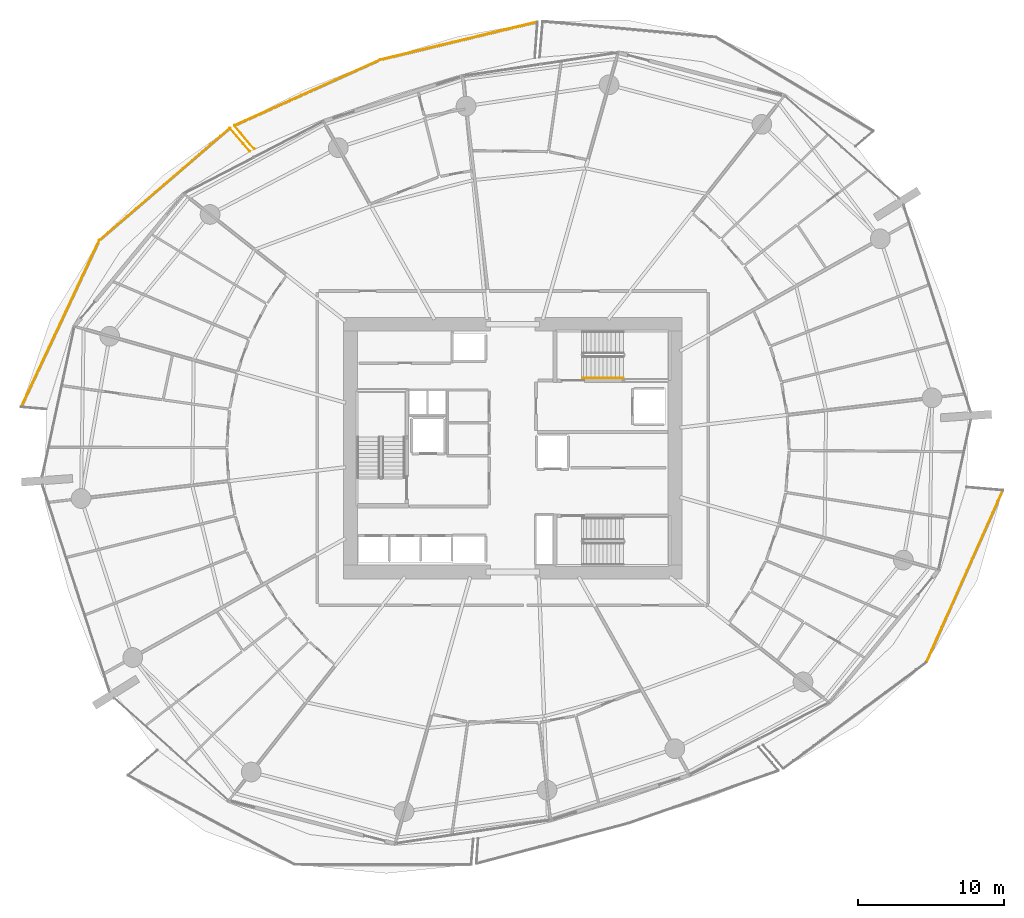
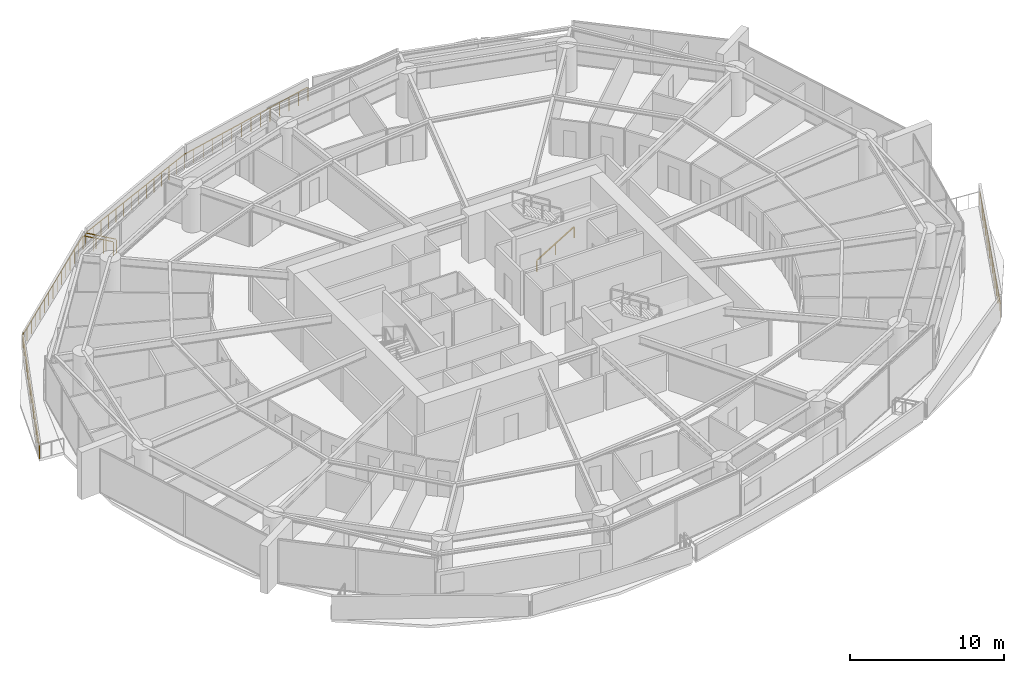
# One storey, part 29 of 31: 8 railings.
"""IFC4 building model written with IfcOpenShell, lengths in metres."""

import ifcopenshell
import ifcopenshell.guid

model = None  # the IFC model being written
_history = None  # IfcOwnerHistory: only IFC2X3 demands one
_inside = {}  # id of a spatial element -> (the spatial element, [elements in it])
_under = {}  # id of a project, library or spatial element -> (it, [spatial elements below it])
_declared = {}  # id of a project -> (the project, [libraries it declares])
_typed = {}  # id of a type object -> (the type object, [elements of that type])
_made_of = {}  # id of a material, layer set ... -> (it, [elements and type objects made of it])


def new_model(schema):
    """Start an empty IFC model of exactly this schema.

    Asked for "IFC4X3", IfcOpenShell would pick the latest addendum, in which some entities
    have other attributes; the version numbers below select the first issue.
    IFC2X3 requires an IfcOwnerHistory on every rooted entity: one is made here for all.
    """
    global model, _history
    if schema == "IFC4X3":
        model = ifcopenshell.file(schema_version=(4, 3, 0, 0))
    else:
        model = ifcopenshell.file(schema=schema)
    _inside.clear()
    _under.clear()
    _declared.clear()
    _typed.clear()
    _made_of.clear()
    _history = None
    if model.schema == "IFC2X3":
        org = make("IfcOrganization", Name="unknown")
        user = make(
            "IfcPersonAndOrganization",
            ThePerson=make("IfcPerson", FamilyName="unknown"),
            TheOrganization=org,
        )
        app = make(
            "IfcApplication",
            ApplicationDeveloper=org,
            Version="unknown",
            ApplicationFullName="unknown",
            ApplicationIdentifier="unknown",
        )
        _history = make(
            "IfcOwnerHistory",
            OwningUser=user,
            OwningApplication=app,
            ChangeAction="ADDED",
            CreationDate=0,
        )
    return model


def make(cls, **values):
    """One entity of the class cls with the attributes given. An attribute that is None is left unset."""
    return model.create_entity(
        cls, **{name: value for name, value in values.items() if value is not None}
    )


def rooted(cls, **values):
    """An entity with a GlobalId (a new one), such as an element, a storey or a relation."""
    return make(cls, GlobalId=ifcopenshell.guid.new(), OwnerHistory=_history, **values)


def si_unit(unit_type, name, prefix=None):
    """IfcSIUnit, for example si_unit("LENGTHUNIT", "METRE", prefix="MILLI")."""
    return make("IfcSIUnit", UnitType=unit_type, Prefix=prefix, Name=name)


def assignment(units):
    """IfcUnitAssignment: the units of a project."""
    return None if units is None else make("IfcUnitAssignment", Units=units)


def point(xyz):
    """IfcCartesianPoint."""
    return None if xyz is None else make("IfcCartesianPoint", Coordinates=xyz)


def direction(xyz):
    """IfcDirection."""
    return None if xyz is None else make("IfcDirection", DirectionRatios=xyz)


def frame(location, z_axis=None, x_axis=None):
    """IfcAxis2Placement3D, a coordinate frame: its origin and axes. An axis left out is left unset."""
    return make(
        "IfcAxis2Placement3D",
        Location=point(location),
        Axis=direction(z_axis),
        RefDirection=direction(x_axis),
    )


def frame_2d(location, x_axis=None):
    """IfcAxis2Placement2D, a coordinate frame in the plane: its origin and x axis."""
    return make(
        "IfcAxis2Placement2D", Location=point(location), RefDirection=direction(x_axis)
    )


def origin():
    """The frame at (0, 0, 0) with its axes left unset."""
    return frame((0.0, 0.0, 0.0))


def origin_2d():
    """The frame at (0, 0) in the plane with its x axis left unset."""
    return frame_2d((0.0, 0.0))


def place(relative_to, where):
    """IfcLocalPlacement: puts the frame where relative to a parent placement (None: the world)."""
    return make(
        "IfcLocalPlacement", PlacementRelTo=relative_to, RelativePlacement=where
    )


def context(
    kind, dimensions, precision=None, world=None, true_north=None, identifier=None
):
    """IfcGeometricRepresentationContext, for example the 3D "Model" context."""
    return make(
        "IfcGeometricRepresentationContext",
        ContextIdentifier=identifier,
        ContextType=kind,
        CoordinateSpaceDimension=dimensions,
        Precision=precision,
        WorldCoordinateSystem=world,
        TrueNorth=true_north,
    )


def subcontext(parent, identifier, kind, view, scale=None):
    """IfcGeometricRepresentationSubContext, for example "Body" below "Model"."""
    return make(
        "IfcGeometricRepresentationSubContext",
        ContextIdentifier=identifier,
        ContextType=kind,
        ParentContext=parent,
        TargetScale=scale,
        TargetView=view,
    )


def project(units=None, contexts=None):
    """IfcProject with its units and contexts."""
    return rooted(
        "IfcProject",
        Name="project",
        RepresentationContexts=contexts,
        UnitsInContext=assignment(units),
    )


def spatial(cls, under=None, at=None, **own):
    """A site, building, storey or space (cls), placed at a placement, below another one or the project."""
    s = rooted(cls, ObjectPlacement=at, **own)
    if under is not None:
        _under.setdefault(under.id(), (under, []))[1].append(s)
    return s


def profile(cls, at=None, kind="AREA", **sizes):
    """A parametric profile (cls). Its sizes go by their IFC names, for example OverallWidth=200.0."""
    return make(cls, ProfileType=kind, Position=at, **sizes)


def rectangle(**sizes):
    """IfcRectangleProfileDef."""
    return profile("IfcRectangleProfileDef", **sizes)


def extrude(swept, where, along, depth):
    """IfcExtrudedAreaSolid: the profile swept, set in the frame where, extruded along a direction by depth."""
    return make(
        "IfcExtrudedAreaSolid",
        SweptArea=swept,
        Position=where,
        ExtrudedDirection=direction(along),
        Depth=depth,
    )


def shape(context_of_items, identifier, shape_type, items):
    """IfcShapeRepresentation: the items that make up one representation, for example the "Body"."""
    return make(
        "IfcShapeRepresentation",
        ContextOfItems=context_of_items,
        RepresentationIdentifier=identifier,
        RepresentationType=shape_type,
        Items=items,
    )


def material(Name=None, Category=None):
    """IfcMaterial."""
    return make("IfcMaterial", Name=Name, Category=Category)


def made_of(thing, what):
    """Note that an element or type object is made of a material, layer set ...; save() writes the relation."""
    if what is not None:
        _made_of.setdefault(what.id(), (what, []))[1].append(thing)
    return thing


def type_object(cls, material=None, **own):
    """A type object (cls), such as IfcWallType, which elements share."""
    return made_of(rooted(cls, **own), material)


def element(
    cls,
    number,
    at=None,
    inside=None,
    cuts=None,
    type_object=None,
    material=None,
    context=None,
    identifier="Body",
    shape_type=None,
    held_by="IfcProductDefinitionShape",
    body=None,
    shapes=None,
    **own,
):
    """One element of the class cls, such as IfcWall. Its Tag is "e" and its number.

    at: its placement. inside: the storey or other place that contains it. cuts: it is an
    opening in that element (IfcRelVoidsElement). A single representation is given by context,
    identifier, shape_type and body (its items); several are given by shapes. held_by: the class
    of the entity that holds the representations. save() writes the other relations.
    """
    e = rooted(cls, Tag="e%d" % number, ObjectPlacement=at, **own)
    if body is not None:
        shapes = [shape(context, identifier, shape_type, body)]
    if shapes is not None:
        e.Representation = make(held_by, Representations=shapes)
    if inside is not None:
        _inside.setdefault(inside.id(), (inside, []))[1].append(e)
    if cuts is not None:
        rooted(
            "IfcRelVoidsElement", RelatingBuildingElement=cuts, RelatedOpeningElement=e
        )
    if type_object is not None:
        _typed.setdefault(type_object.id(), (type_object, []))[1].append(e)
    return made_of(e, material)


def aggregate(whole, parts):
    """IfcRelAggregates: a whole, such as a stair, and the parts it consists of."""
    return rooted("IfcRelAggregates", RelatingObject=whole, RelatedObjects=parts)


def save(model, path):
    """Write the relations noted so far, then the file.

    IfcRelAggregates (storeys below a building ...), IfcRelContainedInSpatialStructure (elements
    in a storey), IfcRelDefinesByType, IfcRelAssociatesMaterial and IfcRelDeclares: one each for
    every whole, place, type object, material and project.
    """
    for whole, parts in _under.values():
        aggregate(whole, parts)
    for where, things in _inside.values():
        rooted(
            "IfcRelContainedInSpatialStructure",
            RelatedElements=things,
            RelatingStructure=where,
        )
    for kind, things in _typed.values():
        rooted("IfcRelDefinesByType", RelatedObjects=things, RelatingType=kind)
    for what, things in _made_of.values():
        rooted("IfcRelAssociatesMaterial", RelatedObjects=things, RelatingMaterial=what)
    for by, libraries in _declared.values():
        rooted("IfcRelDeclares", RelatingContext=by, RelatedDefinitions=libraries)
    model.write(path)


model = new_model("IFC4")

# Units and contexts
model_context = context("Model", 3, precision=1e-05, world=origin(), true_north=direction((0.0, 1.0)))
body_context = subcontext(model_context, "Body", "Model", "MODEL_VIEW")
ifc_project = project(units=[si_unit("LENGTHUNIT", "METRE"), si_unit("AREAUNIT", "SQUARE_METRE"), si_unit("VOLUMEUNIT", "CUBIC_METRE"), si_unit("PLANEANGLEUNIT", "RADIAN"), si_unit("MASSUNIT", "GRAM", prefix="KILO")], contexts=[model_context])

# Site, building, storey
site_placement = place(None, origin())
site = spatial("IfcSite", under=ifc_project, at=site_placement, CompositionType="ELEMENT")
building_placement = place(site_placement, origin())
building = spatial("IfcBuilding", under=site, at=building_placement, Name="Kazma Halo Residences", CompositionType="ELEMENT")
storey_placement = place(building_placement, frame((0.0, 0.0, 60.14990234375)))
storey = spatial("IfcBuildingStorey", under=building, at=storey_placement, Name="L14", CompositionType="ELEMENT", Elevation=60.14990234375)

# Railings
ifc_material_1 = material(Name="Aluminium AW-6063 T6 Brushed Cap Rail", Category="aluminium")
railing_type_1 = type_object("IfcRailingType", Name="RLG-BAL-CAP-1120", PredefinedType="BALUSTRADE", material=ifc_material_1)
railing_1_placement = place(storey_placement, frame((50.115234375, 71.1533203125, 0.0)))
element("IfcRailing", 1, at=railing_1_placement, inside=storey, type_object=railing_type_1, Name="L14 NNW wave balcony guard 2", PredefinedType="BALUSTRADE", context=body_context, shape_type="SweptSolid", body=[
    extrude(rectangle(XDim=0.050048828125, YDim=0.050048828125, at=origin_2d()), frame((-0.041259765625, -0.010009765625, 1.09521484375), z_axis=(-0.972166742851, -0.234290042669, 0.0), x_axis=(0.234290042669, -0.972166742851, 0.0)), (0.0, 0.0, 1.0), 10.968994140625),
    extrude(rectangle(XDim=0.0400390625, YDim=0.0400390625, at=origin_2d()), origin(), (0.0, 0.0, 1.0), 1.05810546875),
    extrude(rectangle(XDim=0.0400390625, YDim=0.0400390625, at=origin_2d()), frame((-0.82666015625, -0.19921875, 0.0)), (0.0, 0.0, 1.0), 1.05810546875),
    extrude(rectangle(XDim=0.0400390625, YDim=0.0400390625, at=origin_2d()), frame((-1.6533203125, -0.3984375, 0.0)), (0.0, 0.0, 1.0), 1.05810546875),
    extrude(rectangle(XDim=0.0400390625, YDim=0.0400390625, at=origin_2d()), frame((-2.47998046875, -0.59765625, 0.0)), (0.0, 0.0, 1.0), 1.05810546875),
    extrude(rectangle(XDim=0.0400390625, YDim=0.0400390625, at=origin_2d()), frame((-3.306640625, -0.796875, 0.0)), (0.0, 0.0, 1.0), 1.05810546875),
    extrude(rectangle(XDim=0.0400390625, YDim=0.0400390625, at=origin_2d()), frame((-4.13330078125, -0.99609375, 0.0)), (0.0, 0.0, 1.0), 1.05810546875),
    extrude(rectangle(XDim=0.0400390625, YDim=0.0400390625, at=origin_2d()), frame((-4.9599609375, -1.1953125, 0.0)), (0.0, 0.0, 1.0), 1.05810546875),
    extrude(rectangle(XDim=0.0400390625, YDim=0.0400390625, at=origin_2d()), frame((-5.786376953125, -1.39453125, 0.0)), (0.0, 0.0, 1.0), 1.05810546875),
    extrude(rectangle(XDim=0.0400390625, YDim=0.0400390625, at=origin_2d()), frame((-6.613037109375, -1.59375, 0.0)), (0.0, 0.0, 1.0), 1.05810546875),
    extrude(rectangle(XDim=0.0400390625, YDim=0.0400390625, at=origin_2d()), frame((-7.439697265625, -1.79296875, 0.0)), (0.0, 0.0, 1.0), 1.05810546875),
    extrude(rectangle(XDim=0.0400390625, YDim=0.0400390625, at=origin_2d()), frame((-8.266357421875, -1.9921875, 0.0)), (0.0, 0.0, 1.0), 1.05810546875),
    extrude(rectangle(XDim=0.0400390625, YDim=0.0400390625, at=origin_2d()), frame((-9.093017578125, -2.19140625, 0.0)), (0.0, 0.0, 1.0), 1.05810546875),
    extrude(rectangle(XDim=0.0400390625, YDim=0.0400390625, at=origin_2d()), frame((-9.919677734375, -2.390625, 0.0)), (0.0, 0.0, 1.0), 1.05810546875),
    extrude(rectangle(XDim=0.0400390625, YDim=0.0400390625, at=origin_2d()), frame((-10.746337890625, -2.58984375, 0.0)), (0.0, 0.0, 1.0), 1.05810546875),
])
railing_2_placement = place(storey_placement, frame((39.368896484375, 68.5634765625, 0.0)))
element("IfcRailing", 2, at=railing_2_placement, inside=storey, type_object=railing_type_1, Name="L14 NNW wave balcony guard 3", PredefinedType="BALUSTRADE", context=body_context, shape_type="SweptSolid", body=[
    extrude(rectangle(XDim=0.050048828125, YDim=0.050048828125, at=origin_2d()), frame((-0.038818359375, -0.017578125, 1.09521484375), z_axis=(-0.911628372298, -0.411015462996, 0.0), x_axis=(0.411015462996, -0.911628372298, 0.0)), (0.0, 0.0, 1.0), 10.863525390625),
    extrude(rectangle(XDim=0.0400390625, YDim=0.0400390625, at=origin_2d()), origin(), (0.0, 0.0, 1.0), 1.05810546875),
    extrude(rectangle(XDim=0.0400390625, YDim=0.0400390625, at=origin_2d()), frame((-0.767822265625, -0.34619140625, 0.0)), (0.0, 0.0, 1.0), 1.05810546875),
    extrude(rectangle(XDim=0.0400390625, YDim=0.0400390625, at=origin_2d()), frame((-1.53564453125, -0.6923828125, 0.0)), (0.0, 0.0, 1.0), 1.05810546875),
    extrude(rectangle(XDim=0.0400390625, YDim=0.0400390625, at=origin_2d()), frame((-2.30322265625, -1.03857421875, 0.0)), (0.0, 0.0, 1.0), 1.05810546875),
    extrude(rectangle(XDim=0.0400390625, YDim=0.0400390625, at=origin_2d()), frame((-3.071044921875, -1.384521484375, 0.0)), (0.0, 0.0, 1.0), 1.05810546875),
    extrude(rectangle(XDim=0.0400390625, YDim=0.0400390625, at=origin_2d()), frame((-3.8388671875, -1.730712890625, 0.0)), (0.0, 0.0, 1.0), 1.05810546875),
    extrude(rectangle(XDim=0.0400390625, YDim=0.0400390625, at=origin_2d()), frame((-4.606689453125, -2.076904296875, 0.0)), (0.0, 0.0, 1.0), 1.05810546875),
    extrude(rectangle(XDim=0.0400390625, YDim=0.0400390625, at=origin_2d()), frame((-5.374267578125, -2.423095703125, 0.0)), (0.0, 0.0, 1.0), 1.05810546875),
    extrude(rectangle(XDim=0.0400390625, YDim=0.0400390625, at=origin_2d()), frame((-6.14208984375, -2.769287109375, 0.0)), (0.0, 0.0, 1.0), 1.05810546875),
    extrude(rectangle(XDim=0.0400390625, YDim=0.0400390625, at=origin_2d()), frame((-6.909912109375, -3.115478515625, 0.0)), (0.0, 0.0, 1.0), 1.05810546875),
    extrude(rectangle(XDim=0.0400390625, YDim=0.0400390625, at=origin_2d()), frame((-7.677734375, -3.46142578125, 0.0)), (0.0, 0.0, 1.0), 1.05810546875),
    extrude(rectangle(XDim=0.0400390625, YDim=0.0400390625, at=origin_2d()), frame((-8.4453125, -3.8076171875, 0.0)), (0.0, 0.0, 1.0), 1.05810546875),
    extrude(rectangle(XDim=0.0400390625, YDim=0.0400390625, at=origin_2d()), frame((-9.213134765625, -4.15380859375, 0.0)), (0.0, 0.0, 1.0), 1.05810546875),
    extrude(rectangle(XDim=0.0400390625, YDim=0.0400390625, at=origin_2d()), frame((-9.98095703125, -4.5, 0.0)), (0.0, 0.0, 1.0), 1.05810546875),
])
railing_3_placement = place(storey_placement, frame((29.387939453125, 64.0634765625, 0.0)))
element("IfcRailing", 3, at=railing_3_placement, inside=storey, type_object=railing_type_1, Name="L14 NNW wave balcony guard 4", PredefinedType="BALUSTRADE", context=body_context, shape_type="SweptSolid", body=[
    extrude(rectangle(XDim=0.050048828125, YDim=0.050048828125, at=origin_2d()), frame((0.02734375, -0.032470703125, 1.09521484375), z_axis=(0.644782437668, -0.764366147912, 0.0), x_axis=(0.764366147912, 0.644782437668, 0.0)), (0.0, 0.0, 1.0), 2.030029296875),
    extrude(rectangle(XDim=0.0400390625, YDim=0.0400390625, at=origin_2d()), origin(), (0.0, 0.0, 1.0), 1.05810546875),
    extrude(rectangle(XDim=0.0400390625, YDim=0.0400390625, at=origin_2d()), frame((0.45458984375, -0.538818359375, 0.0)), (0.0, 0.0, 1.0), 1.05810546875),
    extrude(rectangle(XDim=0.0400390625, YDim=0.0400390625, at=origin_2d()), frame((0.9091796875, -1.077880859375, 0.0)), (0.0, 0.0, 1.0), 1.05810546875),
    extrude(rectangle(XDim=0.0400390625, YDim=0.0400390625, at=origin_2d()), frame((1.36376953125, -1.61669921875, 0.0)), (0.0, 0.0, 1.0), 1.05810546875),
])
railing_4_placement = place(storey_placement, frame((30.453857421875, 62.29150390625, 0.0)))
element("IfcRailing", 4, at=railing_4_placement, inside=storey, type_object=railing_type_1, Name="L14 NW wave balcony guard 1", PredefinedType="BALUSTRADE", context=body_context, shape_type="SweptSolid", body=[
    extrude(rectangle(XDim=0.050048828125, YDim=0.050048828125, at=origin_2d()), frame((-0.02783203125, 0.0322265625, 1.09521484375), z_axis=(-0.654010002836, 0.756485899532, 0.0), x_axis=(-0.756485899532, -0.654010002836, 0.0)), (0.0, 0.0, 1.0), 2.01611328125),
    extrude(rectangle(XDim=0.0400390625, YDim=0.0400390625, at=origin_2d()), origin(), (0.0, 0.0, 1.0), 1.05810546875),
    extrude(rectangle(XDim=0.0400390625, YDim=0.0400390625, at=origin_2d()), frame((-0.4580078125, 0.52978515625, 0.0)), (0.0, 0.0, 1.0), 1.05810546875),
    extrude(rectangle(XDim=0.0400390625, YDim=0.0400390625, at=origin_2d()), frame((-0.916259765625, 1.059814453125, 0.0)), (0.0, 0.0, 1.0), 1.05810546875),
    extrude(rectangle(XDim=0.0400390625, YDim=0.0400390625, at=origin_2d()), frame((-1.374267578125, 1.589599609375, 0.0)), (0.0, 0.0, 1.0), 1.05810546875),
])
railing_5_placement = place(storey_placement, frame((29.07958984375, 63.881103515625, 0.0)))
element("IfcRailing", 5, at=railing_5_placement, inside=storey, type_object=railing_type_1, Name="L14 NW wave balcony guard 2", PredefinedType="BALUSTRADE", context=body_context, shape_type="SweptSolid", body=[
    extrude(rectangle(XDim=0.050048828125, YDim=0.050048828125, at=origin_2d()), frame((-0.0322265625, -0.02783203125, 1.09521484375), z_axis=(-0.758358383102, -0.651837834725, 0.0), x_axis=(0.651837834725, -0.758358383102, 0.0)), (0.0, 0.0, 1.0), 11.704833984375),
    extrude(rectangle(XDim=0.0400390625, YDim=0.0400390625, at=origin_2d()), origin(), (0.0, 0.0, 1.0), 1.05810546875),
    extrude(rectangle(XDim=0.0400390625, YDim=0.0400390625, at=origin_2d()), frame((-0.638671875, -0.548828125, 0.0)), (0.0, 0.0, 1.0), 1.05810546875),
    extrude(rectangle(XDim=0.0400390625, YDim=0.0400390625, at=origin_2d()), frame((-1.27734375, -1.097900390625, 0.0)), (0.0, 0.0, 1.0), 1.05810546875),
    extrude(rectangle(XDim=0.0400390625, YDim=0.0400390625, at=origin_2d()), frame((-1.916015625, -1.646728515625, 0.0)), (0.0, 0.0, 1.0), 1.05810546875),
    extrude(rectangle(XDim=0.0400390625, YDim=0.0400390625, at=origin_2d()), frame((-2.554443359375, -2.19580078125, 0.0)), (0.0, 0.0, 1.0), 1.05810546875),
    extrude(rectangle(XDim=0.0400390625, YDim=0.0400390625, at=origin_2d()), frame((-3.193115234375, -2.74462890625, 0.0)), (0.0, 0.0, 1.0), 1.05810546875),
    extrude(rectangle(XDim=0.0400390625, YDim=0.0400390625, at=origin_2d()), frame((-3.831787109375, -3.293701171875, 0.0)), (0.0, 0.0, 1.0), 1.05810546875),
    extrude(rectangle(XDim=0.0400390625, YDim=0.0400390625, at=origin_2d()), frame((-4.470458984375, -3.842529296875, 0.0)), (0.0, 0.0, 1.0), 1.05810546875),
    extrude(rectangle(XDim=0.0400390625, YDim=0.0400390625, at=origin_2d()), frame((-5.109130859375, -4.391357421875, 0.0)), (0.0, 0.0, 1.0), 1.05810546875),
    extrude(rectangle(XDim=0.0400390625, YDim=0.0400390625, at=origin_2d()), frame((-5.747802734375, -4.9404296875, 0.0)), (0.0, 0.0, 1.0), 1.05810546875),
    extrude(rectangle(XDim=0.0400390625, YDim=0.0400390625, at=origin_2d()), frame((-6.386474609375, -5.4892578125, 0.0)), (0.0, 0.0, 1.0), 1.05810546875),
    extrude(rectangle(XDim=0.0400390625, YDim=0.0400390625, at=origin_2d()), frame((-7.02490234375, -6.038330078125, 0.0)), (0.0, 0.0, 1.0), 1.05810546875),
    extrude(rectangle(XDim=0.0400390625, YDim=0.0400390625, at=origin_2d()), frame((-7.66357421875, -6.587158203125, 0.0)), (0.0, 0.0, 1.0), 1.05810546875),
    extrude(rectangle(XDim=0.0400390625, YDim=0.0400390625, at=origin_2d()), frame((-8.30224609375, -7.13623046875, 0.0)), (0.0, 0.0, 1.0), 1.05810546875),
    extrude(rectangle(XDim=0.0400390625, YDim=0.0400390625, at=origin_2d()), frame((-8.94091796875, -7.68505859375, 0.0)), (0.0, 0.0, 1.0), 1.05810546875),
])
railing_6_placement = place(storey_placement, frame((20.138671875, 56.196044921875, 0.0)))
element("IfcRailing", 6, at=railing_6_placement, inside=storey, type_object=railing_type_1, Name="L14 NW wave balcony guard 3", PredefinedType="BALUSTRADE", context=body_context, shape_type="SweptSolid", body=[
    extrude(rectangle(XDim=0.050048828125, YDim=0.050048828125, at=origin_2d()), frame((-0.01806640625, -0.03857421875, 1.09521484375), z_axis=(-0.424196429436, -0.905570201174, 0.0), x_axis=(0.905570201174, -0.424196429436, 0.0)), (0.0, 0.0, 1.0), 12.481201171875),
    extrude(rectangle(XDim=0.0400390625, YDim=0.0400390625, at=origin_2d()), origin(), (0.0, 0.0, 1.0), 1.05810546875),
    extrude(rectangle(XDim=0.0400390625, YDim=0.0400390625, at=origin_2d()), frame((-0.380859375, -0.812744140625, 0.0)), (0.0, 0.0, 1.0), 1.05810546875),
    extrude(rectangle(XDim=0.0400390625, YDim=0.0400390625, at=origin_2d()), frame((-0.761474609375, -1.625732421875, 0.0)), (0.0, 0.0, 1.0), 1.05810546875),
    extrude(rectangle(XDim=0.0400390625, YDim=0.0400390625, at=origin_2d()), frame((-1.142333984375, -2.4384765625, 0.0)), (0.0, 0.0, 1.0), 1.05810546875),
    extrude(rectangle(XDim=0.0400390625, YDim=0.0400390625, at=origin_2d()), frame((-1.52294921875, -3.251220703125, 0.0)), (0.0, 0.0, 1.0), 1.05810546875),
    extrude(rectangle(XDim=0.0400390625, YDim=0.0400390625, at=origin_2d()), frame((-1.90380859375, -4.064208984375, 0.0)), (0.0, 0.0, 1.0), 1.05810546875),
    extrude(rectangle(XDim=0.0400390625, YDim=0.0400390625, at=origin_2d()), frame((-2.284423828125, -4.876953125, 0.0)), (0.0, 0.0, 1.0), 1.05810546875),
    extrude(rectangle(XDim=0.0400390625, YDim=0.0400390625, at=origin_2d()), frame((-2.665283203125, -5.68994140625, 0.0)), (0.0, 0.0, 1.0), 1.05810546875),
    extrude(rectangle(XDim=0.0400390625, YDim=0.0400390625, at=origin_2d()), frame((-3.046142578125, -6.502685546875, 0.0)), (0.0, 0.0, 1.0), 1.05810546875),
    extrude(rectangle(XDim=0.0400390625, YDim=0.0400390625, at=origin_2d()), frame((-3.4267578125, -7.3154296875, 0.0)), (0.0, 0.0, 1.0), 1.05810546875),
    extrude(rectangle(XDim=0.0400390625, YDim=0.0400390625, at=origin_2d()), frame((-3.8076171875, -8.12841796875, 0.0)), (0.0, 0.0, 1.0), 1.05810546875),
    extrude(rectangle(XDim=0.0400390625, YDim=0.0400390625, at=origin_2d()), frame((-4.188232421875, -8.941162109375, 0.0)), (0.0, 0.0, 1.0), 1.05810546875),
    extrude(rectangle(XDim=0.0400390625, YDim=0.0400390625, at=origin_2d()), frame((-4.569091796875, -9.75390625, 0.0)), (0.0, 0.0, 1.0), 1.05810546875),
    extrude(rectangle(XDim=0.0400390625, YDim=0.0400390625, at=origin_2d()), frame((-4.94970703125, -10.56689453125, 0.0)), (0.0, 0.0, 1.0), 1.05810546875),
    extrude(rectangle(XDim=0.0400390625, YDim=0.0400390625, at=origin_2d()), frame((-5.33056640625, -11.379638671875, 0.0)), (0.0, 0.0, 1.0), 1.05810546875),
])
railing_7_placement = place(storey_placement, frame((76.717529296875, 27.36767578125, 0.0)))
element("IfcRailing", 7, at=railing_7_placement, inside=storey, type_object=railing_type_1, Name="L14 SE wave balcony guard 3", PredefinedType="BALUSTRADE", context=body_context, shape_type="SweptSolid", body=[
    extrude(rectangle(XDim=0.050048828125, YDim=0.050048828125, at=origin_2d()), frame((0.017333984375, 0.038818359375, 1.09521484375), z_axis=(0.405946458784, 0.91389686103, 0.0), x_axis=(-0.91389686103, 0.405946458784, 0.0)), (0.0, 0.0, 1.0), 12.77490234375),
    extrude(rectangle(XDim=0.0400390625, YDim=0.0400390625, at=origin_2d()), origin(), (0.0, 0.0, 1.0), 1.05810546875),
    extrude(rectangle(XDim=0.0400390625, YDim=0.0400390625, at=origin_2d()), frame((0.34814453125, 0.783447265625, 0.0)), (0.0, 0.0, 1.0), 1.05810546875),
    extrude(rectangle(XDim=0.0400390625, YDim=0.0400390625, at=origin_2d()), frame((0.696044921875, 1.567138671875, 0.0)), (0.0, 0.0, 1.0), 1.05810546875),
    extrude(rectangle(XDim=0.0400390625, YDim=0.0400390625, at=origin_2d()), frame((1.044189453125, 2.3505859375, 0.0)), (0.0, 0.0, 1.0), 1.05810546875),
    extrude(rectangle(XDim=0.0400390625, YDim=0.0400390625, at=origin_2d()), frame((1.39208984375, 3.134033203125, 0.0)), (0.0, 0.0, 1.0), 1.05810546875),
    extrude(rectangle(XDim=0.0400390625, YDim=0.0400390625, at=origin_2d()), frame((1.740234375, 3.91748046875, 0.0)), (0.0, 0.0, 1.0), 1.05810546875),
    extrude(rectangle(XDim=0.0400390625, YDim=0.0400390625, at=origin_2d()), frame((2.088134765625, 4.701171875, 0.0)), (0.0, 0.0, 1.0), 1.05810546875),
    extrude(rectangle(XDim=0.0400390625, YDim=0.0400390625, at=origin_2d()), frame((2.436279296875, 5.484619140625, 0.0)), (0.0, 0.0, 1.0), 1.05810546875),
    extrude(rectangle(XDim=0.0400390625, YDim=0.0400390625, at=origin_2d()), frame((2.7841796875, 6.26806640625, 0.0)), (0.0, 0.0, 1.0), 1.05810546875),
    extrude(rectangle(XDim=0.0400390625, YDim=0.0400390625, at=origin_2d()), frame((3.13232421875, 7.051513671875, 0.0)), (0.0, 0.0, 1.0), 1.05810546875),
    extrude(rectangle(XDim=0.0400390625, YDim=0.0400390625, at=origin_2d()), frame((3.480224609375, 7.835205078125, 0.0)), (0.0, 0.0, 1.0), 1.05810546875),
    extrude(rectangle(XDim=0.0400390625, YDim=0.0400390625, at=origin_2d()), frame((3.828369140625, 8.61865234375, 0.0)), (0.0, 0.0, 1.0), 1.05810546875),
    extrude(rectangle(XDim=0.0400390625, YDim=0.0400390625, at=origin_2d()), frame((4.17626953125, 9.402099609375, 0.0)), (0.0, 0.0, 1.0), 1.05810546875),
    extrude(rectangle(XDim=0.0400390625, YDim=0.0400390625, at=origin_2d()), frame((4.5244140625, 10.185546875, 0.0)), (0.0, 0.0, 1.0), 1.05810546875),
    extrude(rectangle(XDim=0.0400390625, YDim=0.0400390625, at=origin_2d()), frame((4.872314453125, 10.96923828125, 0.0)), (0.0, 0.0, 1.0), 1.05810546875),
    extrude(rectangle(XDim=0.0400390625, YDim=0.0400390625, at=origin_2d()), frame((5.220458984375, 11.752685546875, 0.0)), (0.0, 0.0, 1.0), 1.05810546875),
])
ifc_material_2 = material(Name="Brushed Stainless Steel", Category="steel")
railing_type_2 = type_object("IfcRailingType", Name="RLG-STAIR-HND-900", PredefinedType="HANDRAIL", material=ifc_material_2)
railing_8_placement = place(storey_placement, frame((53.199951171875, 46.800048828125, 0.170654296875)))
element("IfcRailing", 8, at=railing_8_placement, inside=storey, type_object=railing_type_2, Name="L14 ST-02 stair handrail 1", PredefinedType="HANDRAIL", context=body_context, shape_type="SweptSolid", body=[
    extrude(rectangle(XDim=0.050048828125, YDim=0.050048828125, at=origin_2d()), frame((0.036376953125, 0.0, 0.89697265625), z_axis=(0.854202870247, 0.0, 0.519939858505), x_axis=(0.0, 1.0, 0.0)), (0.0, 0.0, 1.0), 3.19287109375),
    extrude(rectangle(XDim=0.0400390625, YDim=0.0400390625, at=origin_2d()), origin(), (0.0, 0.0, 1.0), 0.837890625),
    extrude(rectangle(XDim=0.0400390625, YDim=0.0400390625, at=origin_2d()), frame((1.39990234375, 0.0, 0.85205078125)), (0.0, 0.0, 1.0), 0.837890625),
    extrude(rectangle(XDim=0.0400390625, YDim=0.0400390625, at=origin_2d()), frame((2.800048828125, 0.0, 1.704345703125)), (0.0, 0.0, 1.0), 0.837890625),
])

save(model, "model.ifc")
